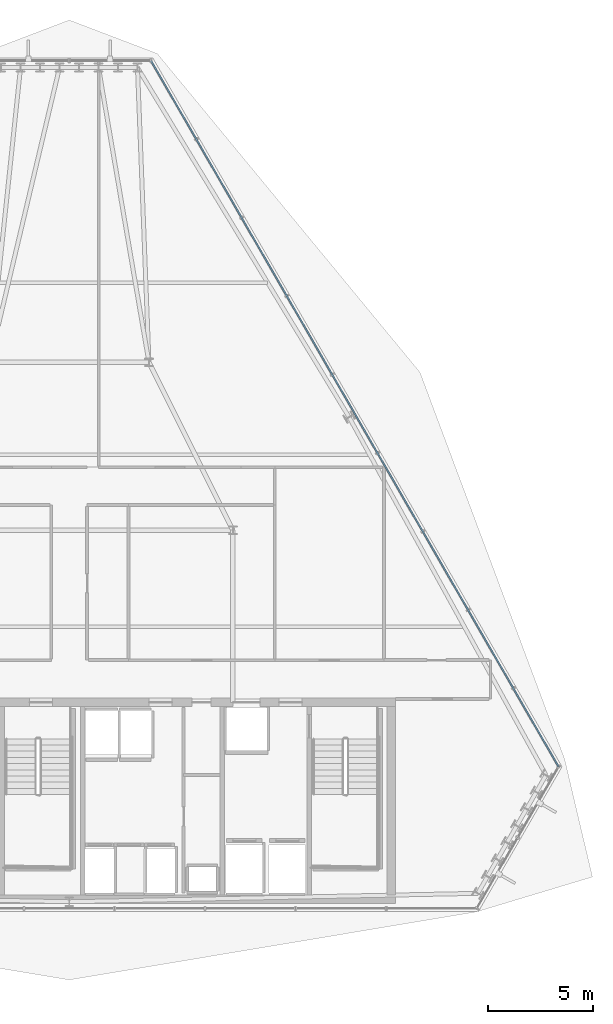
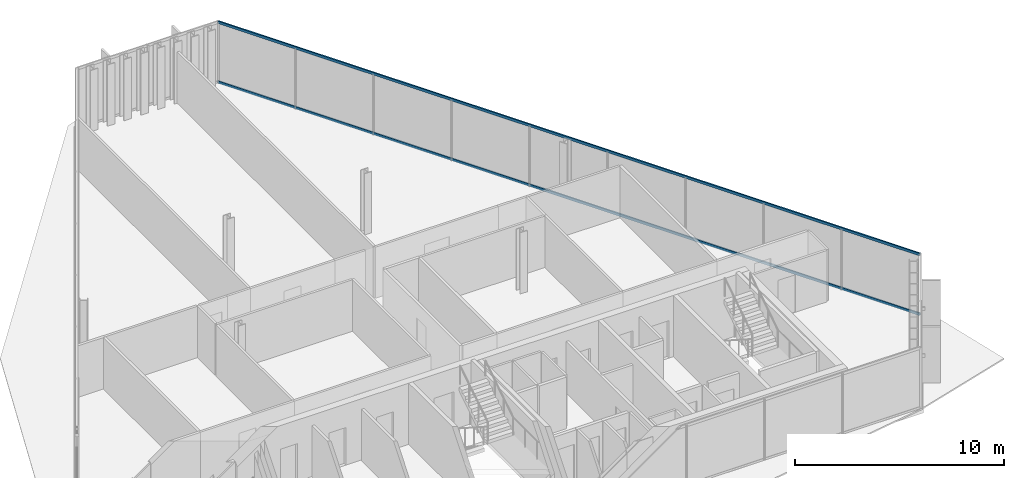
# One storey, part 22 of 37: 2 members, 1 element without a shape of its own.
"""IFC4 building model written with IfcOpenShell, lengths in metres."""

from ifc_helpers import new_model, si_unit, direction, frame, origin, origin_2d, place, context, subcontext, project, spatial, hollow_rectangle, extrude, material, layer, layer_set, material_profile, profile_set, type_object, element, aggregate, save


model = new_model("IFC4")

# Units and contexts
model_context = context("Model", 3, precision=1e-05, world=origin(), true_north=direction((0.0, 1.0)))
body_context = subcontext(model_context, "Body", "Model", "MODEL_VIEW")
ifc_project = project(units=[si_unit("LENGTHUNIT", "METRE"), si_unit("AREAUNIT", "SQUARE_METRE"), si_unit("VOLUMEUNIT", "CUBIC_METRE"), si_unit("PLANEANGLEUNIT", "RADIAN"), si_unit("MASSUNIT", "GRAM", prefix="KILO")], contexts=[model_context])

# Site, building, storey
site_placement = place(None, origin())
site = spatial("IfcSite", under=ifc_project, at=site_placement, CompositionType="ELEMENT")
building_placement = place(site_placement, origin())
building = spatial("IfcBuilding", under=site, at=building_placement, Name="Ndaravel Arena Tower", CompositionType="ELEMENT")
storey_placement = place(building_placement, frame((0.0, 0.0, 218.0)))
storey = spatial("IfcBuildingStorey", under=building, at=storey_placement, Name="L52", CompositionType="ELEMENT", Elevation=218.0)

# Curtain wall, members
ifc_material_1 = material(Name="Aluminium", Category="aluminium")
ifc_layer = layer(ifc_material_1, 0.179931640625)
ifc_layer_set = layer_set([ifc_layer], Name="Aluminium")
curtain_wall_type = type_object("IfcCurtainWallType", Name="CW-SYS-03", PredefinedType="NOTDEFINED", material=ifc_layer_set)
curtain_wall_placement = place(storey_placement, origin())
curtain_wall = element("IfcCurtainWall", 1, at=curtain_wall_placement, inside=storey, type_object=curtain_wall_type, Name="L52 Faceted Crystal Curtain Wall CW-L52-E03", PredefinedType="NOTDEFINED")
ifc_material_2 = material(Name="Aluminium", Category="aluminium")
ifc_material_profile = material_profile(ifc_material_2, hollow_rectangle(XDim=0.074951171875, YDim=0.14990234375, WallThickness=0.00390625, at=origin_2d()), Name="CW TRANSOM 75x150x4")
ifc_profile_set = profile_set([ifc_material_profile], Name="Aluminium")
member_type = type_object("IfcMemberType", Name="MEM-CW-TRN150", PredefinedType="USERDEFINED", material=ifc_profile_set)
member_1_placement = place(storey_placement, frame((65.335205078125, 11.918212890625, 0.0400390625), z_axis=(-0.500001393255, 0.866024599387, 0.0), x_axis=(-0.866024599387, -0.500001393255, 0.0)))
member_1 = element("IfcMember", 2, at=member_1_placement, type_object=member_type, Name="CW-L52-E03 Transom 01", ObjectType="TRANSOM", PredefinedType="USERDEFINED", context=body_context, shape_type="SweptSolid", body=[
    extrude(hollow_rectangle(XDim=0.074951171875, YDim=0.14990234375, WallThickness=0.00390625, at=origin_2d()), origin(), (0.0, 0.0, 1.0), 38.86669921875),
])
member_2_placement = place(storey_placement, frame((65.335205078125, 11.918212890625, 3.5400390625), z_axis=(-0.500001393255, 0.866024599387, 0.0), x_axis=(-0.866024599387, -0.500001393255, 0.0)))
member_2 = element("IfcMember", 3, at=member_2_placement, type_object=member_type, Name="CW-L52-E03 Transom 02", ObjectType="TRANSOM", PredefinedType="USERDEFINED", context=body_context, shape_type="SweptSolid", body=[
    extrude(hollow_rectangle(XDim=0.074951171875, YDim=0.14990234375, WallThickness=0.00390625, at=origin_2d()), origin(), (0.0, 0.0, 1.0), 38.86669921875),
])
aggregate(curtain_wall, [member_1, member_2])

save(model, "model.ifc")
